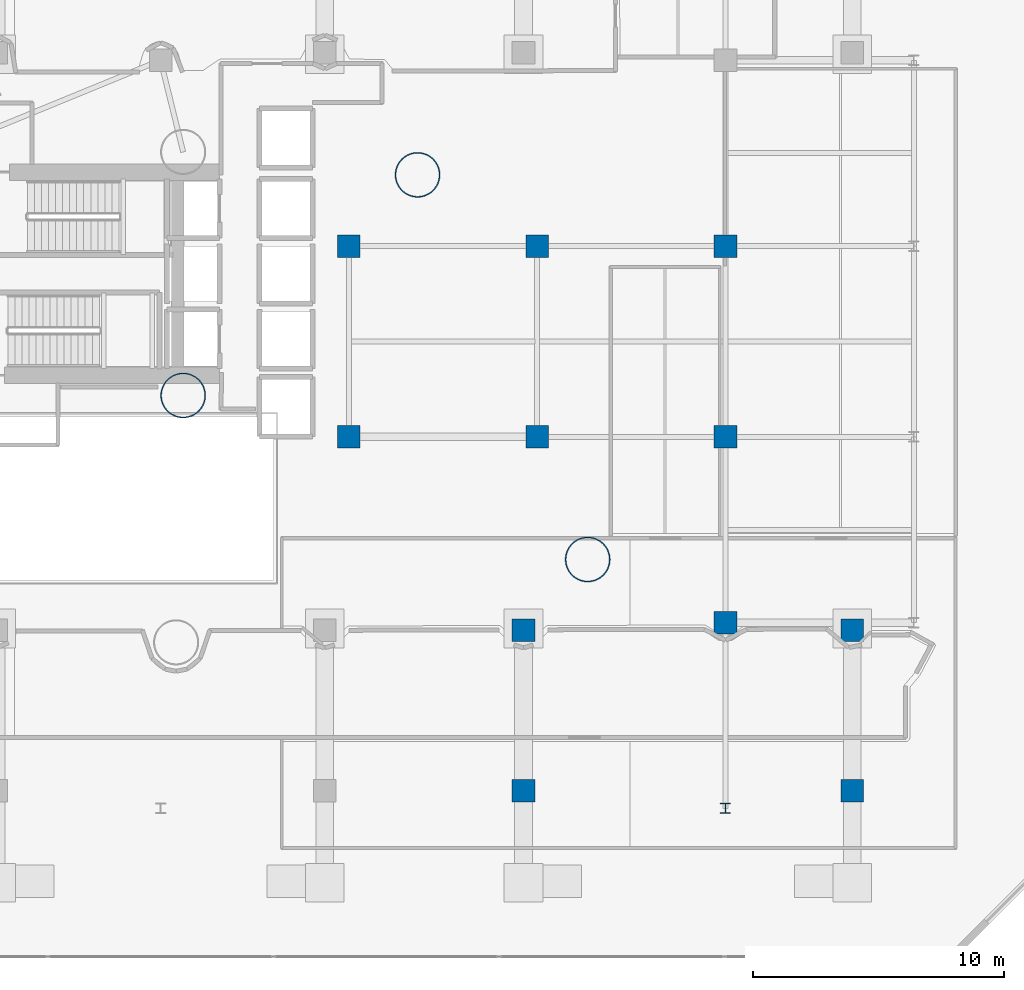
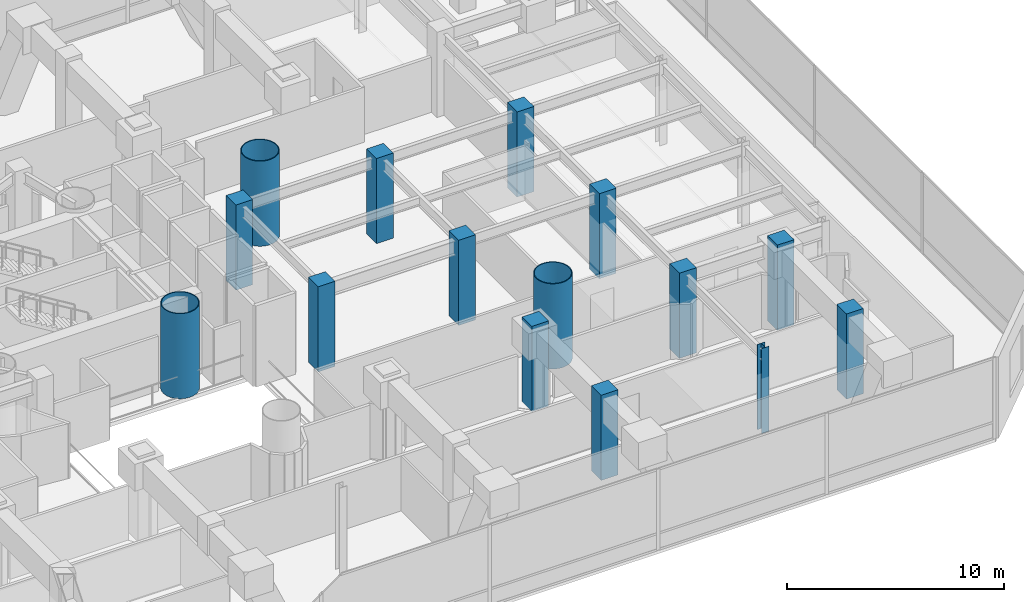
# One storey, part 2 of 45: 15 columns.
"""IFC4 building model written with IfcOpenShell, lengths in metres."""

from ifc_helpers import new_model, si_unit, direction, frame, origin, origin_2d, place, context, subcontext, project, spatial, rectangle, hollow_circle, i_section, extrude, material, material_profile, profile_set, type_object, element, save


model = new_model("IFC4")

# Units and contexts
model_context = context("Model", 3, precision=1e-05, world=origin(), true_north=direction((0.0, 1.0)))
body_context = subcontext(model_context, "Body", "Model", "MODEL_VIEW")
ifc_project = project(units=[si_unit("LENGTHUNIT", "METRE"), si_unit("AREAUNIT", "SQUARE_METRE"), si_unit("VOLUMEUNIT", "CUBIC_METRE"), si_unit("PLANEANGLEUNIT", "RADIAN"), si_unit("MASSUNIT", "GRAM", prefix="KILO")], contexts=[model_context])

# Site, building, storey
site_placement = place(None, origin())
site = spatial("IfcSite", under=ifc_project, at=site_placement, CompositionType="ELEMENT")
building_placement = place(site_placement, origin())
building = spatial("IfcBuilding", under=site, at=building_placement, Name="Qianvela Tower", CompositionType="ELEMENT")
storey_placement = place(building_placement, frame((0.0, 0.0, 11.0)))
storey = spatial("IfcBuildingStorey", under=building, at=storey_placement, Name="L02", CompositionType="ELEMENT", Elevation=11.0)

# Columns
ifc_material_1 = material(Name="Steel Q420GJC", Category="steel")
ifc_material_profile_1 = material_profile(ifc_material_1, hollow_circle(Radius=0.89990234375, WallThickness=0.044921875, at=origin_2d()), Name="CFT-1800x45")
ifc_profile_set_1 = profile_set([ifc_material_profile_1], Name="Steel Q420GJC")
column_type_1 = type_object("IfcColumnType", Name="COL-CFT-1800x45", PredefinedType="COLUMN", material=ifc_profile_set_1)
for number, where, z_axis, x_axis, name in (
    (1, (38.39990234375, 23.85009765625, 0.0), (0.0, 0.0, 1.0), (1.0, 0.0, 0.0), "L02 Core Corner Mega-Column CC-SE"),
    (2, (54.511962890625, 17.31689453125, 0.0), (0.0, 0.0, 1.0), (1.0, 0.0, 0.0), "L02 Tower Base CFT Mega-Column C1"),
    (3, (47.736083984375, 32.636962890625, 0.0), (0.0, 0.0, 1.0), (1.0, 0.0, 0.0), "L02 Tower Base CFT Mega-Column C2"),
):
    element("IfcColumn", number, at=place(storey_placement, frame(where, z_axis=z_axis, x_axis=x_axis)), inside=storey, type_object=column_type_1, Name=name, PredefinedType="COLUMN", context=body_context, shape_type="SweptSolid", body=[
        extrude(hollow_circle(Radius=0.89990234375, WallThickness=0.044921875, at=origin_2d()), origin(), (0.0, 0.0, 1.0), 4.800048828125),
    ])
ifc_material_2 = material(Name="Steel Q355B", Category="steel")
ifc_material_profile_2 = material_profile(ifc_material_2, i_section(OverallWidth=0.39990234375, OverallDepth=0.39990234375, WebThickness=0.012939453125, FlangeThickness=0.02099609375, at=origin_2d()), Name="HW400x400x13x21")
ifc_profile_set_2 = profile_set([ifc_material_profile_2], Name="Steel Q355B")
column_type_2 = type_object("IfcColumnType", Name="COL-HW-400", PredefinedType="COLUMN", material=ifc_profile_set_2)
column_placement = place(storey_placement, frame((60.0, 7.39990234375, 0.0), z_axis=(0.0, 0.0, 1.0), x_axis=(1.0, 0.0, 0.0)))
element("IfcColumn", 4, at=column_placement, inside=storey, type_object=column_type_2, Name="L02 Podium Grid Column P38", PredefinedType="COLUMN", context=body_context, shape_type="SweptSolid", body=[
    extrude(i_section(OverallWidth=0.39990234375, OverallDepth=0.39990234375, WebThickness=0.012939453125, FlangeThickness=0.02099609375, at=origin_2d()), origin(), (0.0, 0.0, 1.0), 4.800048828125),
])
ifc_material_3 = material(Name="Concrete C60", Category="concrete")
ifc_material_profile_3 = material_profile(ifc_material_3, rectangle(XDim=0.89990234375, YDim=0.89990234375, at=origin_2d()), Name="RC-COL-900x900")
ifc_profile_set_3 = profile_set([ifc_material_profile_3], Name="Concrete C60")
column_type_3 = type_object("IfcColumnType", Name="COL-RC-900", PredefinedType="COLUMN", material=ifc_profile_set_3)
for number, where, z_axis, x_axis, name in (
    (5, (51.955322265625, 8.10009765625, 0.0), (0.0, 0.0, 1.0), (1.0, 0.0, 0.0), "L02 Concourse Colonnade Column VC-S3-L-B1"),
    (6, (51.955322265625, 14.5, 0.0), (0.0, 0.0, 1.0), (1.0, 0.0, 0.0), "L02 Concourse Colonnade Column VC-S3-L-B2"),
    (7, (65.044677734375, 8.10009765625, 0.0), (0.0, 0.0, 1.0), (1.0, 0.0, 0.0), "L02 Concourse Colonnade Column VC-S3-R-B1"),
    (8, (65.044677734375, 14.5, 0.0), (0.0, 0.0, 1.0), (1.0, 0.0, 0.0), "L02 Concourse Colonnade Column VC-S3-R-B2"),
    (9, (45.0, 22.199951171875, 0.0), (0.0, 0.0, 1.0), (1.0, 0.0, 0.0), "L02 Podium Grid Column P28"),
    (10, (45.0, 29.800048828125, 0.0), (0.0, 0.0, 1.0), (1.0, 0.0, 0.0), "L02 Podium Grid Column P29"),
    (11, (52.5, 22.199951171875, 0.0), (0.0, 0.0, 1.0), (1.0, 0.0, 0.0), "L02 Podium Grid Column P34"),
    (12, (52.5, 29.800048828125, 0.0), (0.0, 0.0, 1.0), (1.0, 0.0, 0.0), "L02 Podium Grid Column P35"),
    (13, (60.0, 14.800048828125, 0.0), (0.0, 0.0, 1.0), (1.0, 0.0, 0.0), "L02 Podium Grid Column P39"),
    (14, (60.0, 22.199951171875, 0.0), (0.0, 0.0, 1.0), (1.0, 0.0, 0.0), "L02 Podium Grid Column P40"),
    (15, (60.0, 29.800048828125, 0.0), (0.0, 0.0, 1.0), (1.0, 0.0, 0.0), "L02 Podium Grid Column P41"),
):
    element("IfcColumn", number, at=place(storey_placement, frame(where, z_axis=z_axis, x_axis=x_axis)), inside=storey, type_object=column_type_3, Name=name, PredefinedType="COLUMN", context=body_context, shape_type="SweptSolid", body=[
        extrude(rectangle(XDim=0.89990234375, YDim=0.89990234375, at=origin_2d()), origin(), (0.0, 0.0, 1.0), 4.800048828125),
    ])

save(model, "model.ifc")
